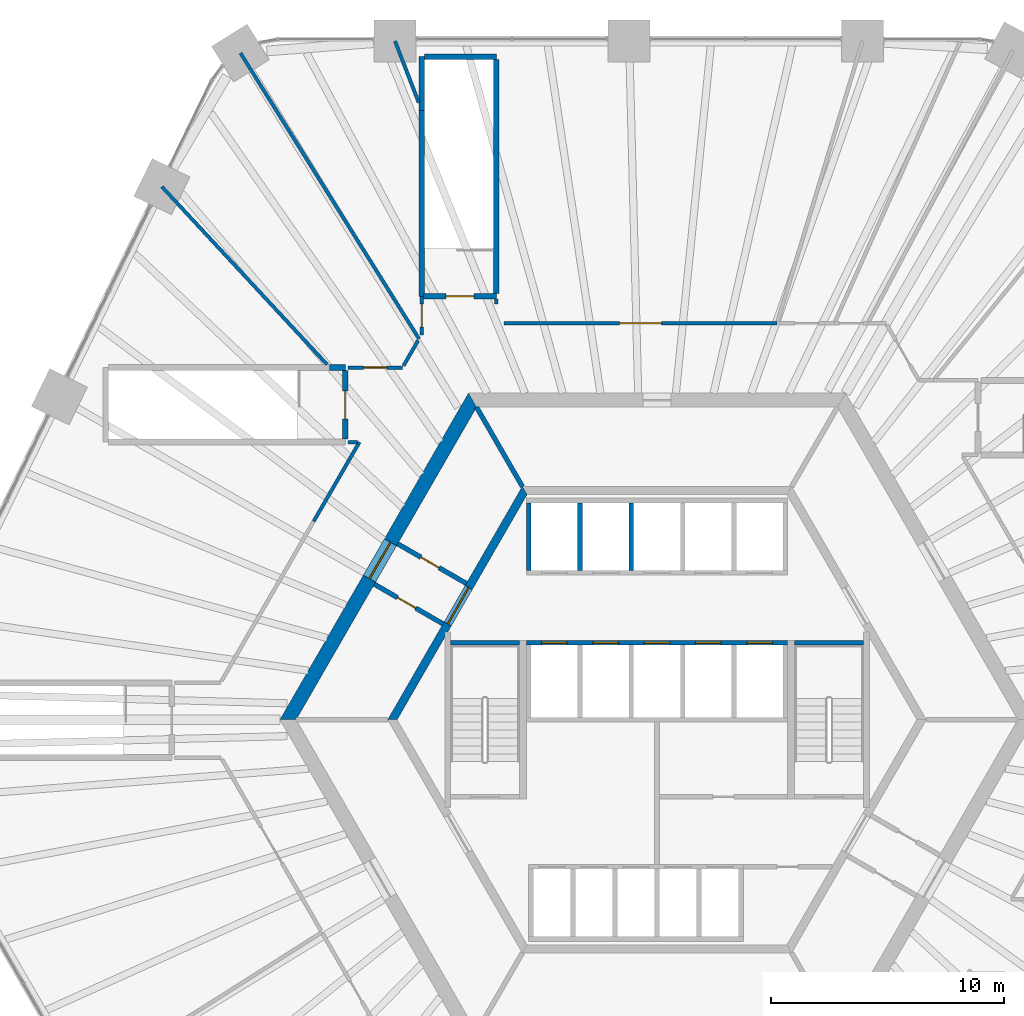
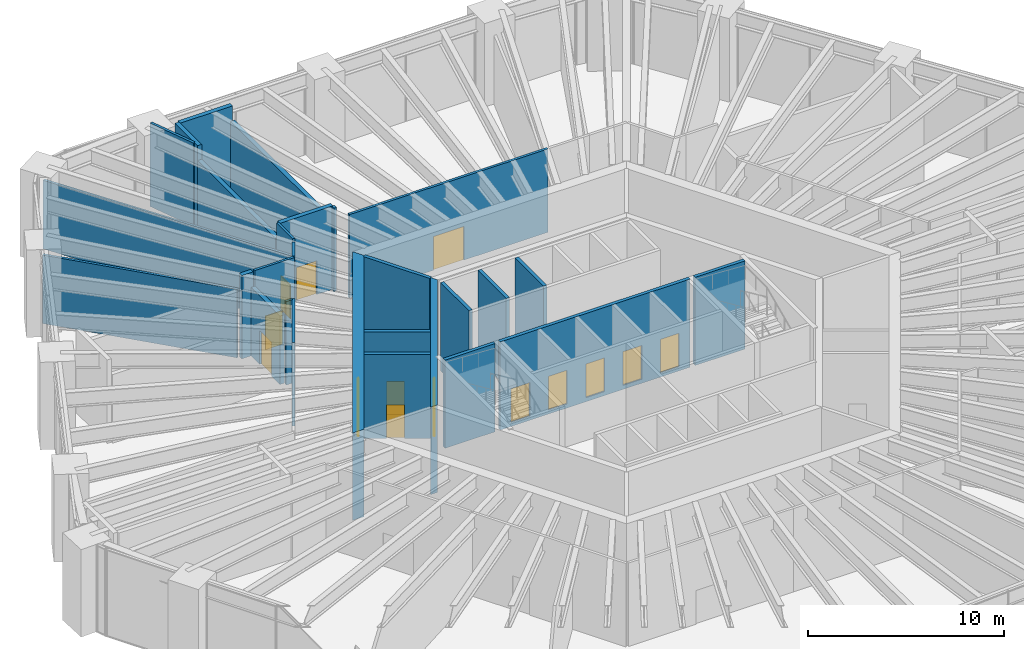
# One storey, part 22 of 25: 28 walls, 14 doors, 14 openings.
"""IFC4 building model written with IfcOpenShell, lengths in metres."""

from ifc_helpers import new_model, si_unit, direction, frame, frame_2d, origin, place, context, subcontext, project, spatial, polyline, rectangle, outline, extrude, material, layer, layer_set, type_object, element, fill, save


model = new_model("IFC4")

# Units and contexts
model_context = context("Model", 3, precision=1e-05, world=origin(), true_north=direction((0.0, 1.0)))
body_context = subcontext(model_context, "Body", "Model", "MODEL_VIEW")
ifc_project = project(units=[si_unit("LENGTHUNIT", "METRE"), si_unit("AREAUNIT", "SQUARE_METRE"), si_unit("VOLUMEUNIT", "CUBIC_METRE"), si_unit("PLANEANGLEUNIT", "RADIAN"), si_unit("MASSUNIT", "GRAM", prefix="KILO")], contexts=[model_context])

# Site, building, storey
site_placement = place(None, origin())
site = spatial("IfcSite", under=ifc_project, at=site_placement, CompositionType="ELEMENT")
building_placement = place(site_placement, origin())
building = spatial("IfcBuilding", under=site, at=building_placement, Name="Tarnside Tower", CompositionType="ELEMENT")
storey_placement = place(building_placement, frame((0.0, 0.0, 26.0)))
storey = spatial("IfcBuildingStorey", under=building, at=storey_placement, Name="L04", CompositionType="ELEMENT", Elevation=26.0)

# Wall, opening, door
ifc_material_1 = material(Name="Concrete C50/60", Category="concrete")
ifc_layer_1 = layer(ifc_material_1, 0.35009765625)
ifc_layer_set_1 = layer_set([ifc_layer_1], Name="Core block wall 350 C50/60")
wall_type_1 = type_object("IfcWallType", Name="Core block wall 350 C50/60", PredefinedType="SHEAR", material=ifc_layer_set_1)
wall_1_placement = place(storey_placement, frame((-5.672607421875, 9.824951171875, -0.25), z_axis=(0.0, 0.0, 1.0), x_axis=(-0.499995046907, -0.866028263435, 0.0)))
wall_1 = element("IfcWall", 1, at=wall_1_placement, inside=storey, type_object=wall_type_1, Name="L04 core block wall face 2", PredefinedType="SHEAR", context=body_context, shape_type="SweptSolid", body=[
    extrude(outline(polyline([(-0.10107421875, -0.175048828125), (11.44580078125, -0.175048828125), (11.24365234375, 0.175048828125), (0.10107421875, 0.175048828125), (-0.10107421875, -0.175048828125)])), origin(), (0.0, 0.0, 1.0), 5.449951171875),
])
opening_1_placement = place(wall_1_placement, frame((4.80126953125, 0.0, 0.25)))
opening_1 = element("IfcOpeningElement", 2, at=opening_1_placement, cuts=wall_1, Name="Opening CD-LOB", PredefinedType="OPENING", context=body_context, shape_type="SweptSolid", body=[
    extrude(rectangle(XDim=1.800048828125, YDim=2.39990234375, at=frame_2d((0.89990234375, 1.199951171875))), frame((0.0, 0.18505859375, 0.0), z_axis=(0.0, -1.0, 0.0), x_axis=(1.0, 0.0, 0.0)), (0.0, 0.0, 1.0), 0.3701171875),
])
ifc_material_2 = material(Name="Steel fire door", Category="steel")
door_type_1 = type_object("IfcDoorType", Name="Lobby double door FD30S 1800x2400", OperationType="NOTDEFINED", PredefinedType="DOOR", material=ifc_material_2)
door_1_placement = place(opening_1_placement, origin())
door_1 = element("IfcDoor", 3, at=door_1_placement, inside=storey, type_object=door_type_1, Name="L04 lobby block door P1", OperationType="DOUBLE_DOOR_SINGLE_SWING", OverallHeight=2.39990234375, OverallWidth=1.800048828125, PredefinedType="DOOR", context=body_context, shape_type="SweptSolid", body=[
    extrude(rectangle(XDim=1.800048828125, YDim=2.39990234375, at=frame_2d((0.89990234375, 1.199951171875))), frame((0.0, 0.02490234375, 0.0), z_axis=(0.0, -1.0, 0.0), x_axis=(1.0, 0.0, 0.0)), (0.0, 0.0, 1.0), 0.050048828125),
])
fill(opening_1, door_1)

ifc_material_3 = material(Name="Concrete C40/50", Category="concrete")
ifc_layer_2 = layer(ifc_material_3, 0.199951171875)
ifc_layer_set_2 = layer_set([ifc_layer_2], Name="Core room partition 200 C40/50")
wall_type_2 = type_object("IfcWallType", Name="Core room partition 200 C40/50", PredefinedType="PARTITIONING", material=ifc_layer_set_2)
wall_2_placement = place(storey_placement, frame((-9.1748046875, 4.10888671875, 0.0), z_axis=(0.0, 0.0, 1.0), x_axis=(-0.865989465428, 0.500062241894, 0.0)))
wall_2 = element("IfcWall", 4, at=wall_2_placement, inside=storey, type_object=wall_type_2, Name="L04 core partition AC1L", PredefinedType="PARTITIONING", context=body_context, shape_type="SweptSolid", body=[
    extrude(rectangle(XDim=3.39990234375, YDim=0.199951171875, at=frame_2d((1.699951171875, 0.0))), origin(), (0.0, 0.0, 1.0), 5.25),
])
opening_2_placement = place(wall_2_placement, frame((1.3505859375, 0.0, 0.0)))
opening_2 = element("IfcOpeningElement", 5, at=opening_2_placement, cuts=wall_2, Name="Opening CD-room", PredefinedType="OPENING", context=body_context, shape_type="SweptSolid", body=[
    extrude(rectangle(XDim=0.89990234375, YDim=2.10009765625, at=frame_2d((0.449951171875, 1.050048828125))), frame((0.0, 0.10986328125, 0.0), z_axis=(0.0, -1.0, 0.0), x_axis=(1.0, 0.0, 0.0)), (0.0, 0.0, 1.0), 0.219970703125),
])
door_type_2 = type_object("IfcDoorType", Name="Room door FD60 900x2100", OperationType="NOTDEFINED", PredefinedType="DOOR", material=ifc_material_2)
door_2_placement = place(opening_2_placement, origin())
door_2 = element("IfcDoor", 6, at=door_2_placement, inside=storey, type_object=door_type_2, Name="L04 core room door AX1L", OperationType="SINGLE_SWING_LEFT", OverallHeight=2.10009765625, OverallWidth=0.89990234375, PredefinedType="DOOR", context=body_context, shape_type="SweptSolid", body=[
    extrude(rectangle(XDim=0.89990234375, YDim=2.10009765625, at=frame_2d((0.449951171875, 1.050048828125))), frame((0.0, 0.02490234375, 0.0), z_axis=(0.0, -1.0, 0.0), x_axis=(1.0, 0.0, 0.0)), (0.0, 0.0, 1.0), 0.050048828125),
])
fill(opening_2, door_2)

wall_3_placement = place(storey_placement, frame((-8.1748046875, 5.841064453125, 0.0), z_axis=(0.0, 0.0, 1.0), x_axis=(-0.866020560687, 0.500008388397, 0.0)))
wall_3 = element("IfcWall", 7, at=wall_3_placement, inside=storey, type_object=wall_type_2, Name="L04 core partition AC1R", PredefinedType="PARTITIONING", context=body_context, shape_type="SweptSolid", body=[
    extrude(rectangle(XDim=3.39990234375, YDim=0.199951171875, at=frame_2d((1.699951171875, 0.0))), origin(), (0.0, 0.0, 1.0), 5.25),
])
opening_3_placement = place(wall_3_placement, frame((1.349609375, 0.0, 0.0)))
opening_3 = element("IfcOpeningElement", 8, at=opening_3_placement, cuts=wall_3, Name="Opening CD-room", PredefinedType="OPENING", context=body_context, shape_type="SweptSolid", body=[
    extrude(rectangle(XDim=0.89990234375, YDim=2.10009765625, at=frame_2d((0.449951171875, 1.050048828125))), frame((0.0, 0.10986328125, 0.0), z_axis=(0.0, -1.0, 0.0), x_axis=(1.0, 0.0, 0.0)), (0.0, 0.0, 1.0), 0.219970703125),
])
door_3_placement = place(opening_3_placement, origin())
door_3 = element("IfcDoor", 9, at=door_3_placement, inside=storey, type_object=door_type_2, Name="L04 core room door AX1R", OperationType="SINGLE_SWING_LEFT", OverallHeight=2.10009765625, OverallWidth=0.89990234375, PredefinedType="DOOR", context=body_context, shape_type="SweptSolid", body=[
    extrude(rectangle(XDim=0.89990234375, YDim=2.10009765625, at=frame_2d((0.449951171875, 1.050048828125))), frame((0.0, 0.02490234375, 0.0), z_axis=(0.0, -1.0, 0.0), x_axis=(1.0, 0.0, 0.0)), (0.0, 0.0, 1.0), 0.050048828125),
])
fill(opening_3, door_3)

ifc_material_4 = material(Name="Concrete C80/95", Category="concrete")
ifc_layer_3 = layer(ifc_material_4, 0.60009765625)
ifc_layer_set_3 = layer_set([ifc_layer_3], Name="Core wall Z1 600 C80/95")
wall_type_3 = type_object("IfcWallType", Name="Core wall Z1 600 C80/95", PredefinedType="SHEAR", material=ifc_layer_set_3)
wall_4_placement = place(storey_placement, frame((-7.90966796875, 13.699951171875, -0.25), z_axis=(0.0, 0.0, 1.0), x_axis=(-0.499999880136, -0.866025472988, 0.0)))
wall_4 = element("IfcWall", 10, at=wall_4_placement, inside=storey, type_object=wall_type_3, Name="L04 core wall face 2", PredefinedType="SHEAR", context=body_context, shape_type="SweptSolid", body=[
    extrude(outline(polyline([(-0.17333984375, -0.300048828125), (15.99267578125, -0.300048828125), (15.64599609375, 0.300048828125), (0.17333984375, 0.300048828125), (-0.17333984375, -0.300048828125)])), origin(), (0.0, 0.0, 1.0), 5.449951171875),
])
opening_4_placement = place(wall_4_placement, frame((7.03857421875, 0.0, 0.25)))
opening_4 = element("IfcOpeningElement", 11, at=opening_4_placement, cuts=wall_4, Name="Opening CD-LOB", PredefinedType="OPENING", context=body_context, shape_type="SweptSolid", body=[
    extrude(rectangle(XDim=1.800048828125, YDim=2.39990234375, at=frame_2d((0.89990234375, 1.199951171875))), frame((0.0, 0.31005859375, 0.0), z_axis=(0.0, -1.0, 0.0), x_axis=(1.0, 0.0, 0.0)), (0.0, 0.0, 1.0), 0.6201171875),
])
door_4_placement = place(opening_4_placement, origin())
door_4 = element("IfcDoor", 12, at=door_4_placement, inside=storey, type_object=door_type_1, Name="L04 core door P1", OperationType="DOUBLE_DOOR_SINGLE_SWING", OverallHeight=2.39990234375, OverallWidth=1.800048828125, PredefinedType="DOOR", context=body_context, shape_type="SweptSolid", body=[
    extrude(rectangle(XDim=1.800048828125, YDim=2.39990234375, at=frame_2d((0.89990234375, 1.199951171875))), frame((0.0, 0.02490234375, 0.0), z_axis=(0.0, -1.0, 0.0), x_axis=(1.0, 0.0, 0.0)), (0.0, 0.0, 1.0), 0.050048828125),
])
fill(opening_4, door_4)

# Walls
ifc_layer_4 = layer(ifc_material_3, 0.199951171875)
ifc_layer_set_4 = layer_set([ifc_layer_4], Name="Lift shaft wall 200 C40/50")
wall_type_4 = type_object("IfcWallType", Name="Lift shaft wall 200 C40/50", PredefinedType="SHEAR", material=ifc_layer_set_4)
for number, where, z_axis, x_axis, name in (
    (13, (-5.5, 6.39990234375, -0.25), (0.0, 0.0, 1.0), (0.0, 1.0, 0.0), "L04 lift shaft partition R11"),
    (14, (-3.300048828125, 6.39990234375, -0.25), (0.0, 0.0, 1.0), (0.0, 1.0, 0.0), "L04 lift shaft partition R12"),
    (15, (-1.10009765625, 6.39990234375, -0.25), (0.0, 0.0, 1.0), (0.0, 1.0, 0.0), "L04 lift shaft partition R13"),
):
    element("IfcWall", number, at=place(storey_placement, frame(where, z_axis=z_axis, x_axis=x_axis)), inside=storey, type_object=wall_type_4, Name=name, PredefinedType="SHEAR", context=body_context, shape_type="SweptSolid", body=[
        extrude(rectangle(XDim=2.900146484375, YDim=0.199951171875, at=frame_2d((1.4501953125, 0.0))), origin(), (0.0, 0.0, 1.0), 5.5),
    ])

# Wall, openings, doors
wall_5_placement = place(storey_placement, frame((-5.60009765625, 3.300048828125, -0.25), z_axis=(0.0, 0.0, 1.0), x_axis=(1.0, 0.0, 0.0)))
wall_5 = element("IfcWall", 16, at=wall_5_placement, inside=storey, type_object=wall_type_4, Name="L04 lift shaft front wall R2", PredefinedType="SHEAR", context=body_context, shape_type="SweptSolid", body=[
    extrude(rectangle(XDim=11.2001953125, YDim=0.199951171875, at=frame_2d((5.60009765625, 0.0))), origin(), (0.0, 0.0, 1.0), 5.5),
])
opening_5_placement = place(wall_5_placement, frame((0.64990234375, 0.0, 0.25)))
opening_5 = element("IfcOpeningElement", 17, at=opening_5_placement, cuts=wall_5, Name="Opening LD", PredefinedType="OPENING", context=body_context, shape_type="SweptSolid", body=[
    extrude(rectangle(XDim=1.10009765625, YDim=2.10009765625, at=frame_2d((0.550048828125, 1.050048828125))), frame((0.0, 0.10986328125, 0.0), z_axis=(0.0, -1.0, 0.0), x_axis=(1.0, 0.0, 0.0)), (0.0, 0.0, 1.0), 0.219970703125),
])
opening_6_placement = place(wall_5_placement, frame((2.85009765625, 0.0, 0.25)))
opening_6 = element("IfcOpeningElement", 18, at=opening_6_placement, cuts=wall_5, Name="Opening LD", PredefinedType="OPENING", context=body_context, shape_type="SweptSolid", body=[
    extrude(rectangle(XDim=1.10009765625, YDim=2.10009765625, at=frame_2d((0.550048828125, 1.050048828125))), frame((0.0, 0.10986328125, 0.0), z_axis=(0.0, -1.0, 0.0), x_axis=(1.0, 0.0, 0.0)), (0.0, 0.0, 1.0), 0.219970703125),
])
opening_7_placement = place(wall_5_placement, frame((5.050048828125, 0.0, 0.25)))
opening_7 = element("IfcOpeningElement", 19, at=opening_7_placement, cuts=wall_5, Name="Opening LD", PredefinedType="OPENING", context=body_context, shape_type="SweptSolid", body=[
    extrude(rectangle(XDim=1.10009765625, YDim=2.10009765625, at=frame_2d((0.550048828125, 1.050048828125))), frame((0.0, 0.10986328125, 0.0), z_axis=(0.0, -1.0, 0.0), x_axis=(1.0, 0.0, 0.0)), (0.0, 0.0, 1.0), 0.219970703125),
])
opening_8_placement = place(wall_5_placement, frame((7.25, 0.0, 0.25)))
opening_8 = element("IfcOpeningElement", 20, at=opening_8_placement, cuts=wall_5, Name="Opening LD", PredefinedType="OPENING", context=body_context, shape_type="SweptSolid", body=[
    extrude(rectangle(XDim=1.10009765625, YDim=2.10009765625, at=frame_2d((0.550048828125, 1.050048828125))), frame((0.0, 0.10986328125, 0.0), z_axis=(0.0, -1.0, 0.0), x_axis=(1.0, 0.0, 0.0)), (0.0, 0.0, 1.0), 0.219970703125),
])
opening_9_placement = place(wall_5_placement, frame((9.449951171875, 0.0, 0.25)))
opening_9 = element("IfcOpeningElement", 21, at=opening_9_placement, cuts=wall_5, Name="Opening LD", PredefinedType="OPENING", context=body_context, shape_type="SweptSolid", body=[
    extrude(rectangle(XDim=1.10009765625, YDim=2.10009765625, at=frame_2d((0.550048828125, 1.050048828125))), frame((0.0, 0.10986328125, 0.0), z_axis=(0.0, -1.0, 0.0), x_axis=(1.0, 0.0, 0.0)), (0.0, 0.0, 1.0), 0.219970703125),
])
ifc_material_5 = material(Name="Stainless steel", Category="steel")
door_type_3 = type_object("IfcDoorType", Name="Lift landing door 1100x2100", OperationType="NOTDEFINED", PredefinedType="DOOR", material=ifc_material_5)
door_5_placement = place(opening_5_placement, origin())
door_5 = element("IfcDoor", 22, at=door_5_placement, inside=storey, type_object=door_type_3, Name="Low-rise lift 4 landing door L04", OperationType="SLIDING_TO_LEFT", OverallHeight=2.10009765625, OverallWidth=1.10009765625, PredefinedType="DOOR", context=body_context, shape_type="SweptSolid", body=[
    extrude(rectangle(XDim=1.10009765625, YDim=2.10009765625, at=frame_2d((0.550048828125, 1.050048828125))), frame((0.0, 0.02490234375, 0.0), z_axis=(0.0, -1.0, 0.0), x_axis=(1.0, 0.0, 0.0)), (0.0, 0.0, 1.0), 0.050048828125),
])
fill(opening_5, door_5)
door_6_placement = place(opening_6_placement, origin())
door_6 = element("IfcDoor", 23, at=door_6_placement, inside=storey, type_object=door_type_3, Name="Low-rise lift 5 landing door L04", OperationType="SLIDING_TO_LEFT", OverallHeight=2.10009765625, OverallWidth=1.10009765625, PredefinedType="DOOR", context=body_context, shape_type="SweptSolid", body=[
    extrude(rectangle(XDim=1.10009765625, YDim=2.10009765625, at=frame_2d((0.550048828125, 1.050048828125))), frame((0.0, 0.02490234375, 0.0), z_axis=(0.0, -1.0, 0.0), x_axis=(1.0, 0.0, 0.0)), (0.0, 0.0, 1.0), 0.050048828125),
])
fill(opening_6, door_6)
door_7_placement = place(opening_7_placement, origin())
door_7 = element("IfcDoor", 24, at=door_7_placement, inside=storey, type_object=door_type_3, Name="Low-rise lift 6 landing door L04", OperationType="SLIDING_TO_LEFT", OverallHeight=2.10009765625, OverallWidth=1.10009765625, PredefinedType="DOOR", context=body_context, shape_type="SweptSolid", body=[
    extrude(rectangle(XDim=1.10009765625, YDim=2.10009765625, at=frame_2d((0.550048828125, 1.050048828125))), frame((0.0, 0.02490234375, 0.0), z_axis=(0.0, -1.0, 0.0), x_axis=(1.0, 0.0, 0.0)), (0.0, 0.0, 1.0), 0.050048828125),
])
fill(opening_7, door_7)
door_8_placement = place(opening_8_placement, origin())
door_8 = element("IfcDoor", 25, at=door_8_placement, inside=storey, type_object=door_type_3, Name="High sky-lobby shuttle 1 landing door L04", OperationType="SLIDING_TO_LEFT", OverallHeight=2.10009765625, OverallWidth=1.10009765625, PredefinedType="DOOR", context=body_context, shape_type="SweptSolid", body=[
    extrude(rectangle(XDim=1.10009765625, YDim=2.10009765625, at=frame_2d((0.550048828125, 1.050048828125))), frame((0.0, 0.02490234375, 0.0), z_axis=(0.0, -1.0, 0.0), x_axis=(1.0, 0.0, 0.0)), (0.0, 0.0, 1.0), 0.050048828125),
])
fill(opening_8, door_8)
door_9_placement = place(opening_9_placement, origin())
door_9 = element("IfcDoor", 26, at=door_9_placement, inside=storey, type_object=door_type_3, Name="Express sky-lobby shuttle 2 landing door L04", OperationType="SLIDING_TO_LEFT", OverallHeight=2.10009765625, OverallWidth=1.10009765625, PredefinedType="DOOR", context=body_context, shape_type="SweptSolid", body=[
    extrude(rectangle(XDim=1.10009765625, YDim=2.10009765625, at=frame_2d((0.550048828125, 1.050048828125))), frame((0.0, 0.02490234375, 0.0), z_axis=(0.0, -1.0, 0.0), x_axis=(1.0, 0.0, 0.0)), (0.0, 0.0, 1.0), 0.050048828125),
])
fill(opening_9, door_9)

# Walls
wall_6_placement = place(storey_placement, frame((-5.7734375, 10.0, -0.25), z_axis=(0.0, 0.0, 1.0), x_axis=(-0.500038251005, 0.86600331843, 0.0)))
element("IfcWall", 27, at=wall_6_placement, inside=storey, type_object=wall_type_4, Name="L04 core partition AR120", PredefinedType="SHEAR", context=body_context, shape_type="SweptSolid", body=[
    extrude(rectangle(XDim=3.926025390625, YDim=0.199951171875, at=frame_2d((1.962890625, 0.0))), origin(), (0.0, 0.0, 1.0), 5.449951171875),
])
for number, where, z_axis, x_axis, name in (
    (28, (5.89990234375, 3.300048828125, -0.25), (0.0, 0.0, 1.0), (1.0, 0.0, 0.0), "L04 stair 1 enclosure cap wall n"),
    (29, (-8.85009765625, 3.300048828125, -0.25), (0.0, 0.0, 1.0), (1.0, 0.0, 0.0), "L04 stair 2 enclosure cap wall n"),
):
    element("IfcWall", number, at=place(storey_placement, frame(where, z_axis=z_axis, x_axis=x_axis)), inside=storey, type_object=wall_type_4, Name=name, PredefinedType="SHEAR", context=body_context, shape_type="SweptSolid", body=[
        extrude(rectangle(XDim=2.9501953125, YDim=0.199951171875, at=frame_2d((1.47509765625, 0.0))), origin(), (0.0, 0.0, 1.0), 5.5),
    ])
ifc_material_6 = material(Name="Gypsum board")
ifc_layer_5 = layer(ifc_material_6, 0.14990234375)
ifc_layer_set_5 = layer_set([ifc_layer_5], Name="Partition 150 gypsum board on metal stud")
wall_type_5 = type_object("IfcWallType", Name="Partition 150 gypsum board on metal stud", PredefinedType="PARTITIONING", material=ifc_layer_set_5)
wall_7_placement = place(storey_placement, frame((-21.22998046875, 22.85400390625, 0.0), z_axis=(0.0, 0.0, 1.0), x_axis=(0.680602169668, -0.732653183057, 0.0)))
element("IfcWall", 30, at=wall_7_placement, inside=storey, type_object=wall_type_5, Name="Partition 005", PredefinedType="PARTITIONING", context=body_context, shape_type="SweptSolid", body=[
    extrude(rectangle(XDim=10.41259765625, YDim=0.14990234375, at=frame_2d((5.206298828125, 0.0))), origin(), (0.0, 0.0, 1.0), 4.2734375),
])
wall_8_placement = place(storey_placement, frame((-17.861083984375, 28.583984375, 0.0), z_axis=(0.0, 0.0, 1.0), x_axis=(0.529906308886, -0.848056191418, 0.0)))
element("IfcWall", 31, at=wall_8_placement, inside=storey, type_object=wall_type_5, Name="Partition 012", PredefinedType="PARTITIONING", context=body_context, shape_type="SweptSolid", body=[
    extrude(rectangle(XDim=14.451904296875, YDim=0.14990234375, at=frame_2d((7.22607421875, 0.0))), origin(), (0.0, 0.0, 1.0), 4.2734375),
])

# Wall, opening, door
wall_9_placement = place(storey_placement, frame((-13.239990234375, 15.10009765625, 0.0), z_axis=(0.0, 0.0, 1.0), x_axis=(1.0, 0.0, 0.0)))
wall_9 = element("IfcWall", 32, at=wall_9_placement, inside=storey, type_object=wall_type_5, Name="Partition 018", PredefinedType="PARTITIONING", context=body_context, shape_type="SweptSolid", body=[
    extrude(rectangle(XDim=2.327880859375, YDim=0.14990234375, at=frame_2d((1.1640625, 0.0))), origin(), (0.0, 0.0, 1.0), 5.199951171875),
])
opening_10_placement = place(wall_9_placement, frame((0.6640625, 0.0, 0.0)))
opening_10 = element("IfcOpeningElement", 33, at=opening_10_placement, cuts=wall_9, Name="Opening D1000F30", PredefinedType="OPENING", context=body_context, shape_type="SweptSolid", body=[
    extrude(rectangle(XDim=1.0, YDim=2.10009765625, at=frame_2d((0.5, 1.050048828125))), frame((0.0, 0.0849609375, 0.0), z_axis=(0.0, -1.0, 0.0), x_axis=(1.0, 0.0, 0.0)), (0.0, 0.0, 1.0), 0.169921875),
])
ifc_material_7 = material(Name="Timber door leaf", Category="wood")
door_type_4 = type_object("IfcDoorType", Name="Door 1000 x 2100 single leaf FD30S fire door", OperationType="NOTDEFINED", PredefinedType="DOOR", material=ifc_material_7)
door_10_placement = place(opening_10_placement, origin())
door_10 = element("IfcDoor", 34, at=door_10_placement, inside=storey, type_object=door_type_4, Name="Door L04-05", OperationType="SINGLE_SWING_RIGHT", OverallHeight=2.10009765625, OverallWidth=1.0, PredefinedType="DOOR", context=body_context, shape_type="SweptSolid", body=[
    extrude(rectangle(XDim=1.0, YDim=2.10009765625, at=frame_2d((0.5, 1.050048828125))), frame((0.0, 0.02490234375, 0.0), z_axis=(0.0, -1.0, 0.0), x_axis=(1.0, 0.0, 0.0)), (0.0, 0.0, 1.0), 0.050048828125),
])
fill(opening_10, door_10)

# Walls
wall_10_placement = place(storey_placement, frame((-12.760009765625, 11.89990234375, 0.0), z_axis=(0.0, 0.0, 1.0), x_axis=(-0.50009934258, -0.865968040721, 0.0)))
element("IfcWall", 35, at=wall_10_placement, inside=storey, type_object=wall_type_5, Name="Partition 019", PredefinedType="PARTITIONING", context=body_context, shape_type="SweptSolid", body=[
    extrude(rectangle(XDim=3.925048828125, YDim=0.14990234375, at=frame_2d((1.96240234375, 0.0))), origin(), (0.0, 0.0, 1.0), 5.199951171875),
])
wall_11_placement = place(storey_placement, frame((-12.845703125, 11.89990234375, 0.0), z_axis=(0.0, 0.0, 1.0), x_axis=(-1.0, 0.0, 0.0)))
element("IfcWall", 36, at=wall_11_placement, inside=storey, type_object=wall_type_5, Name="Partition 020", PredefinedType="PARTITIONING", context=body_context, shape_type="SweptSolid", body=[
    extrude(rectangle(XDim=0.394287109375, YDim=0.14990234375, at=frame_2d((0.197265625, 0.0))), origin(), (0.0, 0.0, 1.0), 5.199951171875),
])
wall_12_placement = place(storey_placement, frame((-11.235107421875, 29.10009765625, 0.0), z_axis=(0.0, 0.0, 1.0), x_axis=(0.360128239505, -0.932902809038, 0.0)))
element("IfcWall", 37, at=wall_12_placement, inside=storey, type_object=wall_type_5, Name="Partition 022", PredefinedType="PARTITIONING", context=body_context, shape_type="SweptSolid", body=[
    extrude(rectangle(XDim=2.832275390625, YDim=0.14990234375, at=frame_2d((1.416015625, 0.0))), origin(), (0.0, 0.0, 1.0), 5.199951171875),
])
wall_13_placement = place(storey_placement, frame((-10.245361328125, 16.25439453125, 0.0), z_axis=(0.0, 0.0, 1.0), x_axis=(-0.50007851496, -0.865980068405, 0.0)))
element("IfcWall", 38, at=wall_13_placement, inside=storey, type_object=wall_type_5, Name="Partition 023", PredefinedType="PARTITIONING", context=body_context, shape_type="SweptSolid", body=[
    extrude(rectangle(XDim=1.246337890625, YDim=0.14990234375, at=frame_2d((0.623046875, 0.0))), origin(), (0.0, 0.0, 1.0), 5.199951171875),
])

# Wall, opening, door
wall_14_placement = place(storey_placement, frame((-10.090087890625, 16.50390625, 0.0), z_axis=(0.0, 0.0, 1.0), x_axis=(0.0, 1.0, 0.0)))
wall_14 = element("IfcWall", 39, at=wall_14_placement, inside=storey, type_object=wall_type_5, Name="Partition 024", PredefinedType="PARTITIONING", context=body_context, shape_type="SweptSolid", body=[
    extrude(rectangle(XDim=1.651123046875, YDim=0.14990234375, at=frame_2d((0.82568359375, 0.0))), origin(), (0.0, 0.0, 1.0), 5.199951171875),
])
opening_11_placement = place(wall_14_placement, frame((0.325439453125, 0.0, 0.0)))
opening_11 = element("IfcOpeningElement", 40, at=opening_11_placement, cuts=wall_14, Name="Opening D1000F30", PredefinedType="OPENING", context=body_context, shape_type="SweptSolid", body=[
    extrude(rectangle(XDim=1.0, YDim=2.10009765625, at=frame_2d((0.5, 1.050048828125))), frame((0.0, 0.0849609375, 0.0), z_axis=(0.0, -1.0, 0.0), x_axis=(1.0, 0.0, 0.0)), (0.0, 0.0, 1.0), 0.169921875),
])
door_11_placement = place(opening_11_placement, origin())
door_11 = element("IfcDoor", 41, at=door_11_placement, inside=storey, type_object=door_type_4, Name="Door L04-06", OperationType="SINGLE_SWING_LEFT", OverallHeight=2.10009765625, OverallWidth=1.0, PredefinedType="DOOR", context=body_context, shape_type="SweptSolid", body=[
    extrude(rectangle(XDim=1.0, YDim=2.10009765625, at=frame_2d((0.5, 1.050048828125))), frame((0.0, 0.02490234375, 0.0), z_axis=(0.0, -1.0, 0.0), x_axis=(1.0, 0.0, 0.0)), (0.0, 0.0, 1.0), 0.050048828125),
])
fill(opening_11, door_11)

# Wall
wall_15_placement = place(storey_placement, frame((-6.889892578125, 18.030029296875, 0.0), z_axis=(0.0, 0.0, 1.0), x_axis=(0.0, -1.0, 0.0)))
element("IfcWall", 42, at=wall_15_placement, inside=storey, type_object=wall_type_5, Name="Partition 030", PredefinedType="PARTITIONING", context=body_context, shape_type="SweptSolid", body=[
    extrude(rectangle(XDim=0.2109375, YDim=0.14990234375, at=frame_2d((0.10546875, 0.0))), origin(), (0.0, 0.0, 1.0), 5.199951171875),
])

# Wall, opening, door
wall_16_placement = place(storey_placement, frame((-6.56298828125, 17.0, 0.0), z_axis=(0.0, 0.0, 1.0), x_axis=(1.0, 0.0, 0.0)))
wall_16 = element("IfcWall", 43, at=wall_16_placement, inside=storey, type_object=wall_type_5, Name="Partition 033", PredefinedType="PARTITIONING", context=body_context, shape_type="SweptSolid", body=[
    extrude(rectangle(XDim=11.7109375, YDim=0.14990234375, at=frame_2d((5.85546875, 0.0))), origin(), (0.0, 0.0, 1.0), 5.199951171875),
])
opening_12_placement = place(wall_16_placement, frame((4.95556640625, 0.0, 0.0)))
opening_12 = element("IfcOpeningElement", 44, at=opening_12_placement, cuts=wall_16, Name="Opening D1800F30", PredefinedType="OPENING", context=body_context, shape_type="SweptSolid", body=[
    extrude(rectangle(XDim=1.800048828125, YDim=2.10009765625, at=frame_2d((0.89990234375, 1.050048828125))), frame((0.0, 0.0849609375, 0.0), z_axis=(0.0, -1.0, 0.0), x_axis=(1.0, 0.0, 0.0)), (0.0, 0.0, 1.0), 0.169921875),
])
door_type_5 = type_object("IfcDoorType", Name="Door pair 1800 x 2100 FD30S fire door", OperationType="NOTDEFINED", PredefinedType="DOOR", material=ifc_material_7)
door_12_placement = place(opening_12_placement, origin())
door_12 = element("IfcDoor", 45, at=door_12_placement, inside=storey, type_object=door_type_5, Name="Door L04-09", OperationType="DOUBLE_DOOR_SINGLE_SWING", OverallHeight=2.10009765625, OverallWidth=1.800048828125, PredefinedType="DOOR", context=body_context, shape_type="SweptSolid", body=[
    extrude(rectangle(XDim=1.800048828125, YDim=2.10009765625, at=frame_2d((0.89990234375, 1.050048828125))), frame((0.0, 0.02490234375, 0.0), z_axis=(0.0, -1.0, 0.0), x_axis=(1.0, 0.0, 0.0)), (0.0, 0.0, 1.0), 0.050048828125),
])
fill(opening_12, door_12)

# Wall
ifc_material_8 = material(Name="Concrete C32/40", Category="concrete")
ifc_layer_6 = layer(ifc_material_8, 0.25)
ifc_layer_set_6 = layer_set([ifc_layer_6], Name="Wall 250 reinforced Concrete C32/40")
wall_type_6 = type_object("IfcWallType", Name="Wall 250 reinforced Concrete C32/40", PredefinedType="PARTITIONING", material=ifc_layer_set_6)
wall_17_placement = place(storey_placement, frame((-14.0400390625, 15.10009765625, 0.0), z_axis=(0.0, 0.0, 1.0), x_axis=(1.0, 0.0, 0.0)))
element("IfcWall", 46, at=wall_17_placement, inside=storey, type_object=wall_type_6, Name="Partition 015", PredefinedType="PARTITIONING", context=body_context, shape_type="SweptSolid", body=[
    extrude(rectangle(XDim=0.675048828125, YDim=0.25, at=frame_2d((0.33740234375, 0.0))), origin(), (0.0, 0.0, 1.0), 5.199951171875),
])

# Wall, opening, door
wall_18_placement = place(storey_placement, frame((-13.364990234375, 14.97509765625, 0.0), z_axis=(0.0, 0.0, 1.0), x_axis=(0.0, -1.0, 0.0)))
wall_18 = element("IfcWall", 47, at=wall_18_placement, inside=storey, type_object=wall_type_6, Name="Partition 017", PredefinedType="PARTITIONING", context=body_context, shape_type="SweptSolid", body=[
    extrude(rectangle(XDim=2.9501953125, YDim=0.25, at=frame_2d((1.47509765625, 0.0))), origin(), (0.0, 0.0, 1.0), 4.2734375),
])
opening_13_placement = place(wall_18_placement, frame((0.875, 0.0, 0.0)))
opening_13 = element("IfcOpeningElement", 48, at=opening_13_placement, cuts=wall_18, Name="Opening D1200F60S", PredefinedType="OPENING", context=body_context, shape_type="SweptSolid", body=[
    extrude(rectangle(XDim=1.199951171875, YDim=2.10009765625, at=frame_2d((0.60009765625, 1.050048828125))), frame((0.0, 0.135009765625, 0.0), z_axis=(0.0, -1.0, 0.0), x_axis=(1.0, 0.0, 0.0)), (0.0, 0.0, 1.0), 0.27001953125),
])
door_type_6 = type_object("IfcDoorType", Name="Door 1200 x 2100 single leaf FD60S fire door", OperationType="NOTDEFINED", PredefinedType="DOOR", material=ifc_material_7)
door_13_placement = place(opening_13_placement, origin())
door_13 = element("IfcDoor", 49, at=door_13_placement, inside=storey, type_object=door_type_6, Name="Door L04-04", OperationType="SINGLE_SWING_LEFT", OverallHeight=2.10009765625, OverallWidth=1.199951171875, PredefinedType="DOOR", context=body_context, shape_type="SweptSolid", body=[
    extrude(rectangle(XDim=1.199951171875, YDim=2.10009765625, at=frame_2d((0.60009765625, 1.050048828125))), frame((0.0, 0.02490234375, 0.0), z_axis=(0.0, -1.0, 0.0), x_axis=(1.0, 0.0, 0.0)), (0.0, 0.0, 1.0), 0.050048828125),
])
fill(opening_13, door_13)

# Wall
wall_19_placement = place(storey_placement, frame((-10.090087890625, 18.155029296875, 0.0), z_axis=(0.0, 0.0, 1.0), x_axis=(0.0, 1.0, 0.0)))
element("IfcWall", 50, at=wall_19_placement, inside=storey, type_object=wall_type_6, Name="Partition 025", PredefinedType="PARTITIONING", context=body_context, shape_type="SweptSolid", body=[
    extrude(rectangle(XDim=8.005859375, YDim=0.25, at=frame_2d((4.0029296875, 0.0))), origin(), (0.0, 0.0, 1.0), 4.2734375),
])

# Wall, opening, door
wall_20_placement = place(storey_placement, frame((-6.889892578125, 18.155029296875, 0.0), z_axis=(0.0, 0.0, 1.0), x_axis=(-1.0, 0.0, 0.0)))
wall_20 = element("IfcWall", 51, at=wall_20_placement, inside=storey, type_object=wall_type_6, Name="Partition 026", PredefinedType="PARTITIONING", context=body_context, shape_type="SweptSolid", body=[
    extrude(rectangle(XDim=3.125, YDim=0.25, at=frame_2d((1.5625, 0.0))), origin(), (0.0, 0.0, 1.0), 5.199951171875),
])
opening_14_placement = place(wall_20_placement, frame((0.96240234375, 0.0, 0.0)))
opening_14 = element("IfcOpeningElement", 52, at=opening_14_placement, cuts=wall_20, Name="Opening D1200F60S", PredefinedType="OPENING", context=body_context, shape_type="SweptSolid", body=[
    extrude(rectangle(XDim=1.199951171875, YDim=2.10009765625, at=frame_2d((0.60009765625, 1.050048828125))), frame((0.0, 0.135009765625, 0.0), z_axis=(0.0, -1.0, 0.0), x_axis=(1.0, 0.0, 0.0)), (0.0, 0.0, 1.0), 0.27001953125),
])
door_14_placement = place(opening_14_placement, origin())
door_14 = element("IfcDoor", 53, at=door_14_placement, inside=storey, type_object=door_type_6, Name="Door L04-07", OperationType="SINGLE_SWING_RIGHT", OverallHeight=2.10009765625, OverallWidth=1.199951171875, PredefinedType="DOOR", context=body_context, shape_type="SweptSolid", body=[
    extrude(rectangle(XDim=1.199951171875, YDim=2.10009765625, at=frame_2d((0.60009765625, 1.050048828125))), frame((0.0, 0.02490234375, 0.0), z_axis=(0.0, -1.0, 0.0), x_axis=(1.0, 0.0, 0.0)), (0.0, 0.0, 1.0), 0.050048828125),
])
fill(opening_14, door_14)

# Walls
wall_21_placement = place(storey_placement, frame((-10.090087890625, 26.1240234375, 0.0), z_axis=(0.0, 0.0, 1.0), x_axis=(0.0, 1.0, 0.0)))
element("IfcWall", 54, at=wall_21_placement, inside=storey, type_object=wall_type_6, Name="Partition 027", PredefinedType="PARTITIONING", context=body_context, shape_type="SweptSolid", body=[
    extrude(rectangle(XDim=2.301025390625, YDim=0.25, at=frame_2d((1.150390625, 0.0))), origin(), (0.0, 0.0, 1.0), 5.199951171875),
])
wall_22_placement = place(storey_placement, frame((-9.965087890625, 28.425048828125, 0.0), z_axis=(0.0, 0.0, 1.0), x_axis=(1.0, 0.0, 0.0)))
element("IfcWall", 55, at=wall_22_placement, inside=storey, type_object=wall_type_6, Name="Partition 028", PredefinedType="PARTITIONING", context=body_context, shape_type="SweptSolid", body=[
    extrude(rectangle(XDim=3.0751953125, YDim=0.25, at=frame_2d((1.53759765625, 0.0))), origin(), (0.0, 0.0, 1.0), 5.199951171875),
])
wall_23_placement = place(storey_placement, frame((-6.889892578125, 28.300048828125, 0.0), z_axis=(0.0, 0.0, 1.0), x_axis=(0.0, -1.0, 0.0)))
element("IfcWall", 56, at=wall_23_placement, inside=storey, type_object=wall_type_6, Name="Partition 031", PredefinedType="PARTITIONING", context=body_context, shape_type="SweptSolid", body=[
    extrude(rectangle(XDim=10.02001953125, YDim=0.25, at=frame_2d((5.010009765625, 0.0))), origin(), (0.0, 0.0, 1.0), 4.2734375),
])

save(model, "model.ifc")
